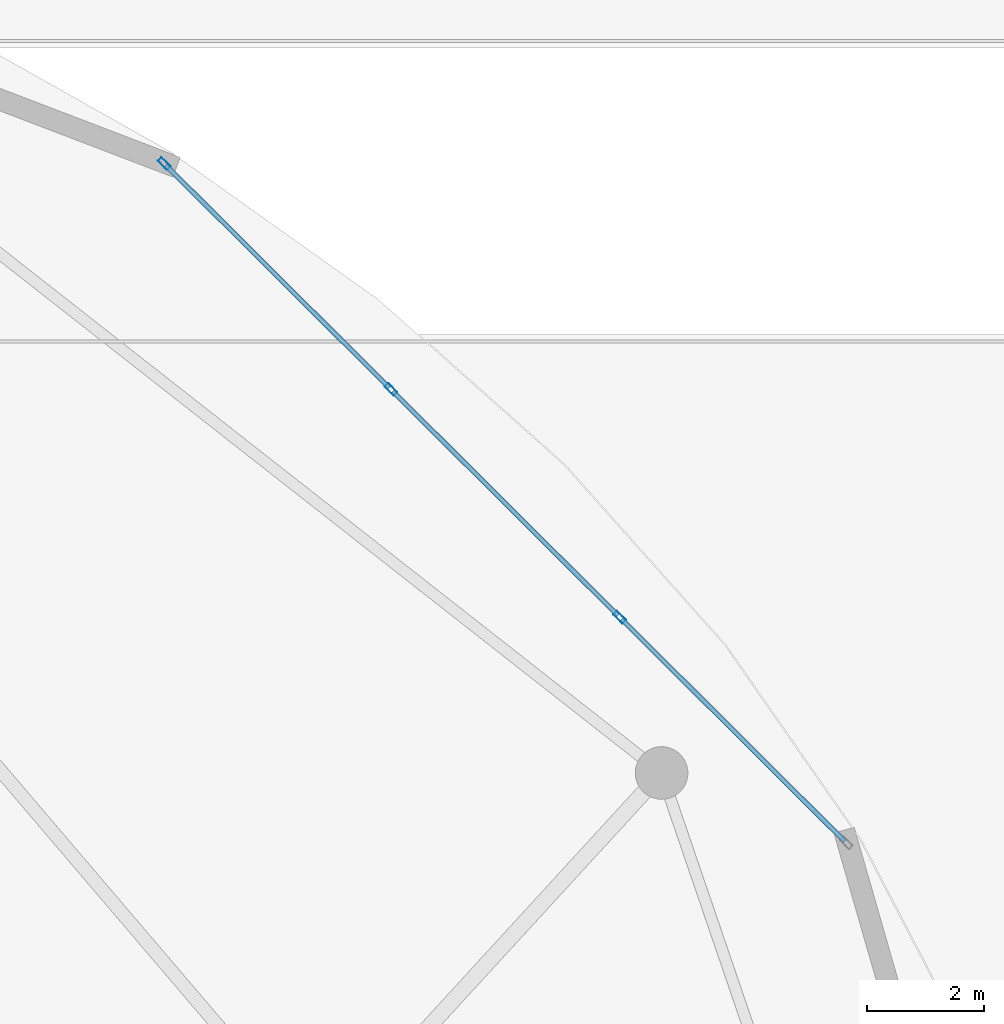
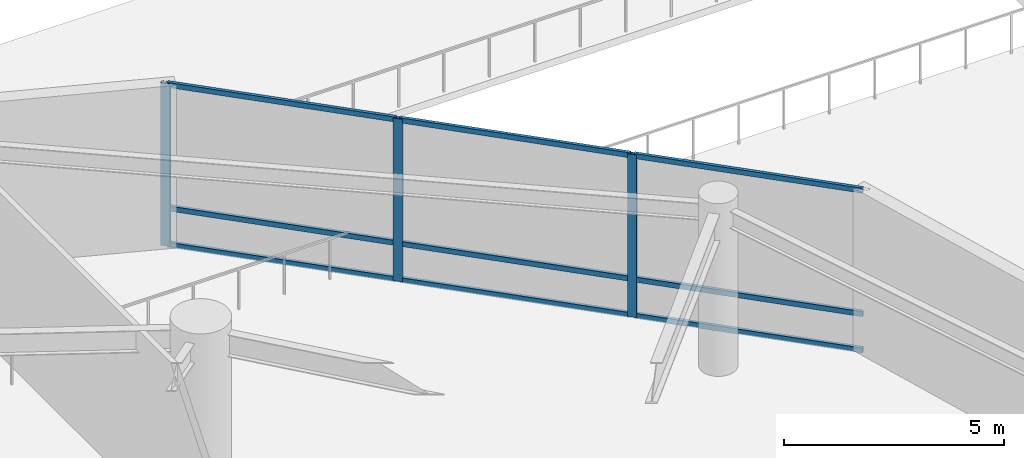
# One storey, part 16 of 35: 12 members, 1 element without a shape of its own.
"""IFC4 building model written with IfcOpenShell, lengths in metres."""

from ifc_helpers import new_model, si_unit, direction, frame, origin, origin_2d, place, context, subcontext, project, spatial, hollow_rectangle, extrude, material, layer, layer_set, material_profile, profile_set, type_object, element, aggregate, save


model = new_model("IFC4")

# Units and contexts
model_context = context("Model", 3, precision=1e-05, world=origin(), true_north=direction((0.0, 1.0)))
body_context = subcontext(model_context, "Body", "Model", "MODEL_VIEW")
ifc_project = project(units=[si_unit("LENGTHUNIT", "METRE"), si_unit("AREAUNIT", "SQUARE_METRE"), si_unit("VOLUMEUNIT", "CUBIC_METRE"), si_unit("PLANEANGLEUNIT", "RADIAN"), si_unit("MASSUNIT", "GRAM", prefix="KILO")], contexts=[model_context])

# Site, building, storey
site_placement = place(None, origin())
site = spatial("IfcSite", under=ifc_project, at=site_placement, CompositionType="ELEMENT")
building_placement = place(site_placement, origin())
building = spatial("IfcBuilding", under=site, at=building_placement, Name="Kazevale Care Tower and Concert Hall", CompositionType="ELEMENT")
storey_placement = place(building_placement, origin())
storey = spatial("IfcBuildingStorey", under=building, at=storey_placement, Name="L00", CompositionType="ELEMENT", Elevation=0.0)

# Curtain wall, members
ifc_material_1 = material(Name="Aluminium 6063-T6 and Low-E Glass", Category="aluminium")
ifc_layer = layer(ifc_material_1, 0.179931640625)
ifc_layer_set = layer_set([ifc_layer], Name="Aluminium 6063-T6 and Low-E Glass")
curtain_wall_type = type_object("IfcCurtainWallType", Name="Podium Double-Skin Medical Curtain Wall CW-1", PredefinedType="NOTDEFINED", material=ifc_layer_set)
curtain_wall_placement = place(storey_placement, origin())
curtain_wall = element("IfcCurtainWall", 1, at=curtain_wall_placement, inside=storey, type_object=curtain_wall_type, Name="cw:L00:pod:02", PredefinedType="NOTDEFINED")
ifc_material_2 = material(Name="Aluminium 6063-T6", Category="aluminium")
ifc_material_profile_1 = material_profile(ifc_material_2, hollow_rectangle(XDim=0.090087890625, YDim=0.219970703125, WallThickness=0.0048828125, at=origin_2d()), Name="ALU90x220x5")
ifc_profile_set_1 = profile_set([ifc_material_profile_1], Name="Aluminium 6063-T6")
member_type_1 = type_object("IfcMemberType", Name="CW-1 Mullion ALU90x220x5", PredefinedType="MULLION", material=ifc_profile_set_1)
member_1_placement = place(storey_placement, frame((79.182373046875, 56.464599609375, 0.0), z_axis=(0.0, 0.0, 1.0), x_axis=(-0.705655814257, -0.708554776856, 0.0)))
member_1 = element("IfcMember", 2, at=member_1_placement, type_object=member_type_1, Name="CW-1 mullion 2", PredefinedType="MULLION", context=body_context, shape_type="SweptSolid", body=[
    extrude(hollow_rectangle(XDim=0.090087890625, YDim=0.219970703125, WallThickness=0.0048828125, at=origin_2d()), origin(), (0.0, 0.0, 1.0), 4.52001953125),
])
member_2_placement = place(storey_placement, frame((75.271728515625, 60.359375, 0.0), z_axis=(0.0, 0.0, 1.0), x_axis=(-0.705655814257, -0.708554776856, 0.0)))
member_2 = element("IfcMember", 3, at=member_2_placement, type_object=member_type_1, Name="CW-1 mullion 3", PredefinedType="MULLION", context=body_context, shape_type="SweptSolid", body=[
    extrude(hollow_rectangle(XDim=0.090087890625, YDim=0.219970703125, WallThickness=0.0048828125, at=origin_2d()), origin(), (0.0, 0.0, 1.0), 4.52001953125),
])
member_3_placement = place(storey_placement, frame((71.392822265625, 64.22216796875, 0.0), z_axis=(0.0, 0.0, 1.0), x_axis=(-0.705655814257, -0.708554776856, 0.0)))
member_3 = element("IfcMember", 4, at=member_3_placement, type_object=member_type_1, Name="CW-1 mullion 4", PredefinedType="MULLION", context=body_context, shape_type="SweptSolid", body=[
    extrude(hollow_rectangle(XDim=0.090087890625, YDim=0.219970703125, WallThickness=0.0048828125, at=origin_2d()), origin(), (0.0, 0.0, 1.0), 4.52001953125),
])
ifc_material_profile_2 = material_profile(ifc_material_2, hollow_rectangle(XDim=0.080078125, YDim=0.139892578125, WallThickness=0.00390625, at=origin_2d()), Name="ALU80x140x4")
ifc_profile_set_2 = profile_set([ifc_material_profile_2], Name="Aluminium 6063-T6")
member_type_2 = type_object("IfcMemberType", Name="CW-1 Transom ALU80x140x4", PredefinedType="USERDEFINED", material=ifc_profile_set_2)
member_4_placement = place(storey_placement, frame((83.029296875, 52.633544921875, 0.0400390625), z_axis=(-0.708578901075, 0.705631590103, 0.0), x_axis=(-0.705631590103, -0.708578901075, 0.0)))
member_4 = element("IfcMember", 5, at=member_4_placement, type_object=member_type_2, Name="CW-1 transom 1.1", ObjectType="TRANSOM", PredefinedType="USERDEFINED", context=body_context, shape_type="SweptSolid", body=[
    extrude(hollow_rectangle(XDim=0.080078125, YDim=0.139892578125, WallThickness=0.00390625, at=origin_2d()), origin(), (0.0, 0.0, 1.0), 5.38427734375),
])
member_5_placement = place(storey_placement, frame((83.029296875, 52.633544921875, 1.050048828125), z_axis=(-0.708578901075, 0.705631590103, 0.0), x_axis=(-0.705631590103, -0.708578901075, 0.0)))
member_5 = element("IfcMember", 6, at=member_5_placement, type_object=member_type_2, Name="CW-1 transom 1.2", ObjectType="TRANSOM", PredefinedType="USERDEFINED", context=body_context, shape_type="SweptSolid", body=[
    extrude(hollow_rectangle(XDim=0.080078125, YDim=0.139892578125, WallThickness=0.00390625, at=origin_2d()), origin(), (0.0, 0.0, 1.0), 5.38427734375),
])
member_6_placement = place(storey_placement, frame((83.029296875, 52.633544921875, 4.47998046875), z_axis=(-0.708578901075, 0.705631590103, 0.0), x_axis=(-0.705631590103, -0.708578901075, 0.0)))
member_6 = element("IfcMember", 7, at=member_6_placement, type_object=member_type_2, Name="CW-1 transom 1.3", ObjectType="TRANSOM", PredefinedType="USERDEFINED", context=body_context, shape_type="SweptSolid", body=[
    extrude(hollow_rectangle(XDim=0.080078125, YDim=0.139892578125, WallThickness=0.00390625, at=origin_2d()), origin(), (0.0, 0.0, 1.0), 5.38427734375),
])
member_7_placement = place(storey_placement, frame((79.150390625, 56.496337890625, 0.0400390625), z_axis=(-0.708544259539, 0.705666374624, 0.0), x_axis=(-0.705666374624, -0.708544259539, 0.0)))
member_7 = element("IfcMember", 8, at=member_7_placement, type_object=member_type_2, Name="CW-1 transom 2.1", ObjectType="TRANSOM", PredefinedType="USERDEFINED", context=body_context, shape_type="SweptSolid", body=[
    extrude(hollow_rectangle(XDim=0.080078125, YDim=0.139892578125, WallThickness=0.00390625, at=origin_2d()), origin(), (0.0, 0.0, 1.0), 5.429443359375),
])
member_8_placement = place(storey_placement, frame((79.150390625, 56.496337890625, 1.050048828125), z_axis=(-0.708544259539, 0.705666374624, 0.0), x_axis=(-0.705666374624, -0.708544259539, 0.0)))
member_8 = element("IfcMember", 9, at=member_8_placement, type_object=member_type_2, Name="CW-1 transom 2.2", ObjectType="TRANSOM", PredefinedType="USERDEFINED", context=body_context, shape_type="SweptSolid", body=[
    extrude(hollow_rectangle(XDim=0.080078125, YDim=0.139892578125, WallThickness=0.00390625, at=origin_2d()), origin(), (0.0, 0.0, 1.0), 5.429443359375),
])
member_9_placement = place(storey_placement, frame((79.150390625, 56.496337890625, 4.47998046875), z_axis=(-0.708544259539, 0.705666374624, 0.0), x_axis=(-0.705666374624, -0.708544259539, 0.0)))
member_9 = element("IfcMember", 10, at=member_9_placement, type_object=member_type_2, Name="CW-1 transom 2.3", ObjectType="TRANSOM", PredefinedType="USERDEFINED", context=body_context, shape_type="SweptSolid", body=[
    extrude(hollow_rectangle(XDim=0.080078125, YDim=0.139892578125, WallThickness=0.00390625, at=origin_2d()), origin(), (0.0, 0.0, 1.0), 5.429443359375),
])
member_10_placement = place(storey_placement, frame((75.23974609375, 60.39111328125, 0.0400390625), z_axis=(-0.708556322862, 0.705654261896, 0.0), x_axis=(-0.705654261896, -0.708556322862, 0.0)))
member_10 = element("IfcMember", 11, at=member_10_placement, type_object=member_type_2, Name="CW-1 transom 3.1", ObjectType="TRANSOM", PredefinedType="USERDEFINED", context=body_context, shape_type="SweptSolid", body=[
    extrude(hollow_rectangle(XDim=0.080078125, YDim=0.139892578125, WallThickness=0.00390625, at=origin_2d()), origin(), (0.0, 0.0, 1.0), 5.384033203125),
])
member_11_placement = place(storey_placement, frame((75.23974609375, 60.39111328125, 1.050048828125), z_axis=(-0.708556322862, 0.705654261896, 0.0), x_axis=(-0.705654261896, -0.708556322862, 0.0)))
member_11 = element("IfcMember", 12, at=member_11_placement, type_object=member_type_2, Name="CW-1 transom 3.2", ObjectType="TRANSOM", PredefinedType="USERDEFINED", context=body_context, shape_type="SweptSolid", body=[
    extrude(hollow_rectangle(XDim=0.080078125, YDim=0.139892578125, WallThickness=0.00390625, at=origin_2d()), origin(), (0.0, 0.0, 1.0), 5.384033203125),
])
member_12_placement = place(storey_placement, frame((75.23974609375, 60.39111328125, 4.47998046875), z_axis=(-0.708556322862, 0.705654261896, 0.0), x_axis=(-0.705654261896, -0.708556322862, 0.0)))
member_12 = element("IfcMember", 13, at=member_12_placement, type_object=member_type_2, Name="CW-1 transom 3.3", ObjectType="TRANSOM", PredefinedType="USERDEFINED", context=body_context, shape_type="SweptSolid", body=[
    extrude(hollow_rectangle(XDim=0.080078125, YDim=0.139892578125, WallThickness=0.00390625, at=origin_2d()), origin(), (0.0, 0.0, 1.0), 5.384033203125),
])
aggregate(curtain_wall, [member_1, member_2, member_3, member_4, member_5, member_6, member_7, member_8, member_9, member_10, member_11, member_12])

save(model, "model.ifc")
